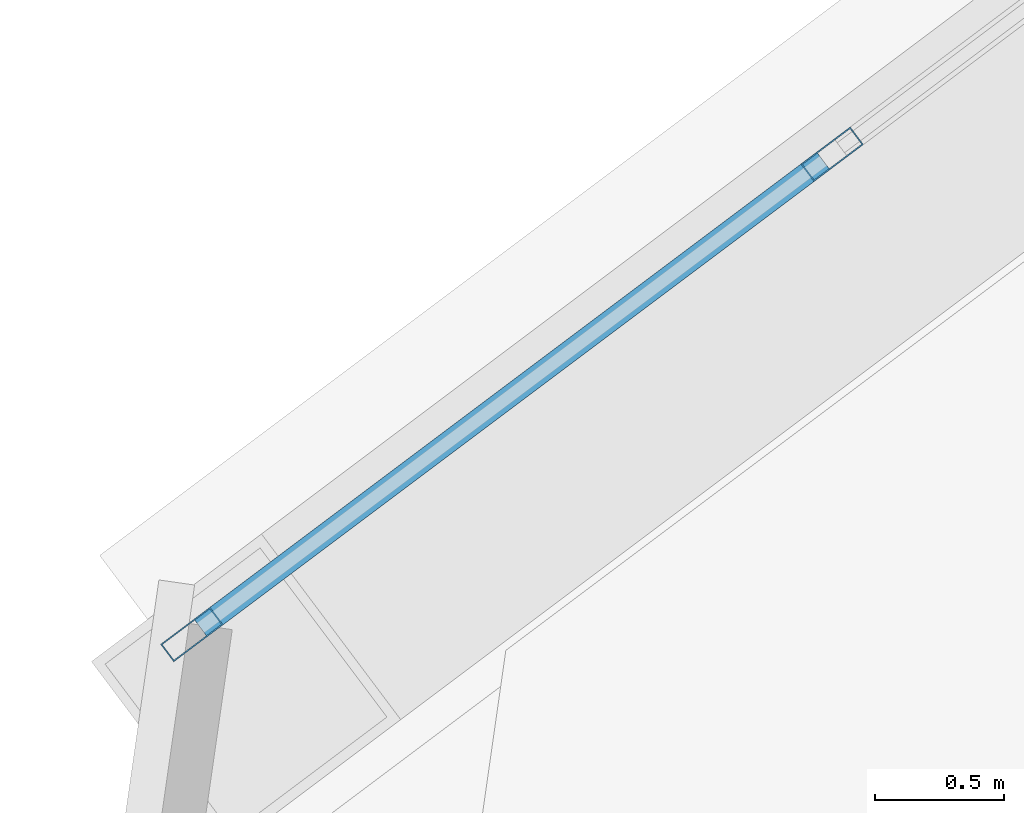
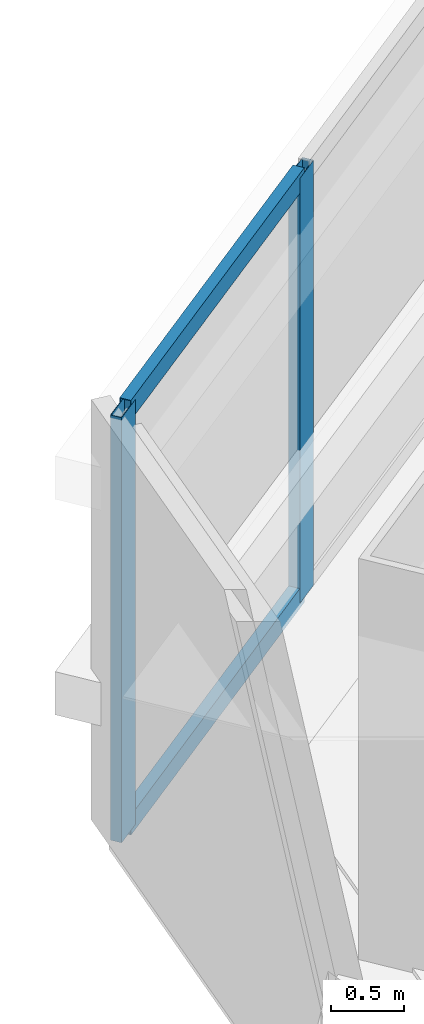
# One storey, part 51 of 75: 4 members, 1 element without a shape of its own.
"""IFC4 building model written with IfcOpenShell, lengths in metres."""

from ifc_helpers import new_model, si_unit, direction, frame, origin, origin_2d, place, context, subcontext, project, spatial, hollow_rectangle, extrude, material, material_profile, profile_set, type_object, element, aggregate, save


model = new_model("IFC4")

# Units and contexts
model_context = context("Model", 3, precision=1e-05, world=origin(), true_north=direction((0.0, 1.0)))
body_context = subcontext(model_context, "Body", "Model", "MODEL_VIEW")
ifc_project = project(units=[si_unit("LENGTHUNIT", "METRE"), si_unit("AREAUNIT", "SQUARE_METRE"), si_unit("VOLUMEUNIT", "CUBIC_METRE"), si_unit("PLANEANGLEUNIT", "RADIAN"), si_unit("MASSUNIT", "GRAM", prefix="KILO")], contexts=[model_context])

# Site, building, storey
site_placement = place(None, origin())
site = spatial("IfcSite", under=ifc_project, at=site_placement, CompositionType="ELEMENT")
building_placement = place(site_placement, origin())
building = spatial("IfcBuilding", under=site, at=building_placement, Name="Tashvorn Skyway Center", CompositionType="ELEMENT")
storey_placement = place(building_placement, frame((0.0, 0.0, 45.89990234375)))
storey = spatial("IfcBuildingStorey", under=building, at=storey_placement, Name="L11", CompositionType="ELEMENT", Elevation=45.89990234375)

# Curtain wall, members
ifc_material = material(Name="Thermally broken bronze-anodized aluminium 6063-T6", Category="aluminium")
curtain_wall_type = type_object("IfcCurtainWallType", Name="CW-CW-Z1", PredefinedType="NOTDEFINED", material=ifc_material)
curtain_wall_placement = place(storey_placement, origin())
curtain_wall = element("IfcCurtainWall", 1, at=curtain_wall_placement, inside=storey, type_object=curtain_wall_type, Name="Tower 2 L11 North Unitised Curtain Wall Glazing Group 1", PredefinedType="NOTDEFINED")
ifc_material_profile_1 = material_profile(ifc_material, hollow_rectangle(XDim=0.0849609375, YDim=0.239990234375, WallThickness=0.0048828125, at=origin_2d()), Name="ALU-MULL-85x240")
ifc_profile_set_1 = profile_set([ifc_material_profile_1], Name="Thermally broken bronze-anodized aluminium 6063-T6")
member_type_1 = type_object("IfcMemberType", Name="CWM-CW-Z1", PredefinedType="MULLION", material=ifc_profile_set_1)
member_1_placement = place(storey_placement, frame((85.922119140625, 38.04150390625, 0.0), z_axis=(0.0, 0.0, 1.0), x_axis=(-0.599997457641, 0.800001906763, 0.0)))
member_1 = element("IfcMember", 2, at=member_1_placement, type_object=member_type_1, Name="CW-Z1 mullion 1", PredefinedType="MULLION", context=body_context, shape_type="SweptSolid", body=[
    extrude(hollow_rectangle(XDim=0.0849609375, YDim=0.239990234375, WallThickness=0.0048828125, at=origin_2d()), origin(), (0.0, 0.0, 1.0), 3.550048828125),
])
member_2_placement = place(storey_placement, frame((88.4052734375, 39.904052734375, 0.0), z_axis=(0.0, 0.0, 1.0), x_axis=(-0.599997457641, 0.800001906763, 0.0)))
member_2 = element("IfcMember", 3, at=member_2_placement, type_object=member_type_1, Name="CW-Z1 mullion 2", PredefinedType="MULLION", context=body_context, shape_type="SweptSolid", body=[
    extrude(hollow_rectangle(XDim=0.0849609375, YDim=0.239990234375, WallThickness=0.0048828125, at=origin_2d()), origin(), (0.0, 0.0, 1.0), 3.550048828125),
])
ifc_material_profile_2 = material_profile(ifc_material, hollow_rectangle(XDim=0.0849609375, YDim=0.1650390625, WallThickness=0.0048828125, at=origin_2d()), Name="ALU-TRAN-85x165")
ifc_profile_set_2 = profile_set([ifc_material_profile_2], Name="Thermally broken bronze-anodized aluminium 6063-T6")
member_type_2 = type_object("IfcMemberType", Name="CWT-CW-Z1", PredefinedType="USERDEFINED", material=ifc_profile_set_2)
member_3_placement = place(storey_placement, frame((85.9560546875, 38.06689453125, 0.04248046875), z_axis=(0.799990296182, 0.600012938206, 0.0), x_axis=(-0.600012938206, 0.799990296182, 0.0)))
member_3 = element("IfcMember", 4, at=member_3_placement, type_object=member_type_2, Name="CW-Z1 transom 1.1", ObjectType="TRANSOM", PredefinedType="USERDEFINED", context=body_context, shape_type="SweptSolid", body=[
    extrude(hollow_rectangle(XDim=0.0849609375, YDim=0.1650390625, WallThickness=0.0048828125, at=origin_2d()), origin(), (0.0, 0.0, 1.0), 3.01904296875),
])
member_4_placement = place(storey_placement, frame((85.9560546875, 38.06689453125, 3.507568359375), z_axis=(0.799990296182, 0.600012938206, 0.0), x_axis=(-0.600012938206, 0.799990296182, 0.0)))
member_4 = element("IfcMember", 5, at=member_4_placement, type_object=member_type_2, Name="CW-Z1 transom 1.2", ObjectType="TRANSOM", PredefinedType="USERDEFINED", context=body_context, shape_type="SweptSolid", body=[
    extrude(hollow_rectangle(XDim=0.0849609375, YDim=0.1650390625, WallThickness=0.0048828125, at=origin_2d()), origin(), (0.0, 0.0, 1.0), 3.01904296875),
])
aggregate(curtain_wall, [member_1, member_2, member_3, member_4])

save(model, "model.ifc")
